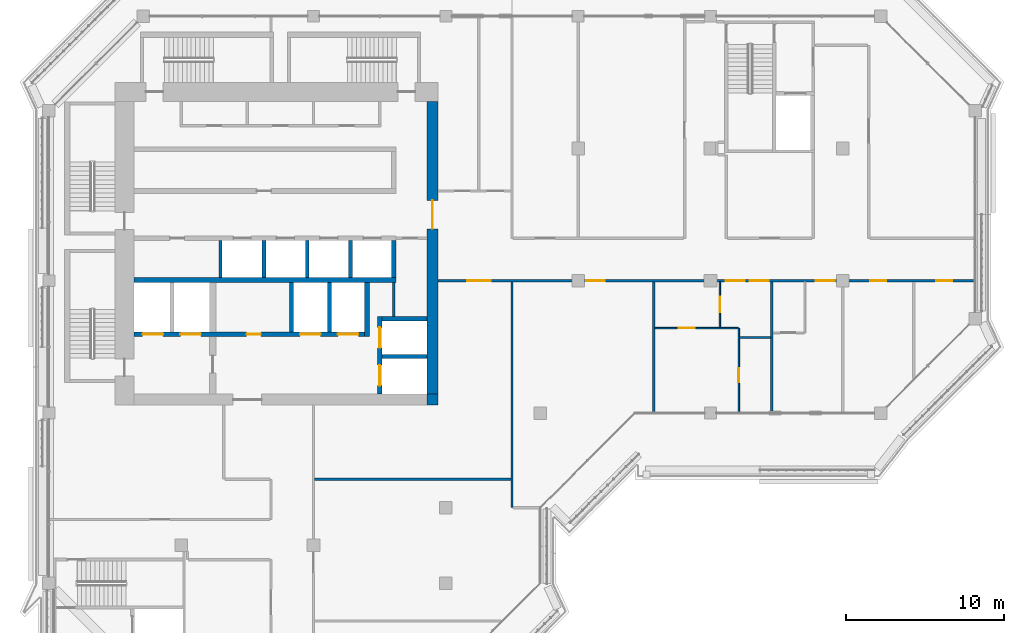
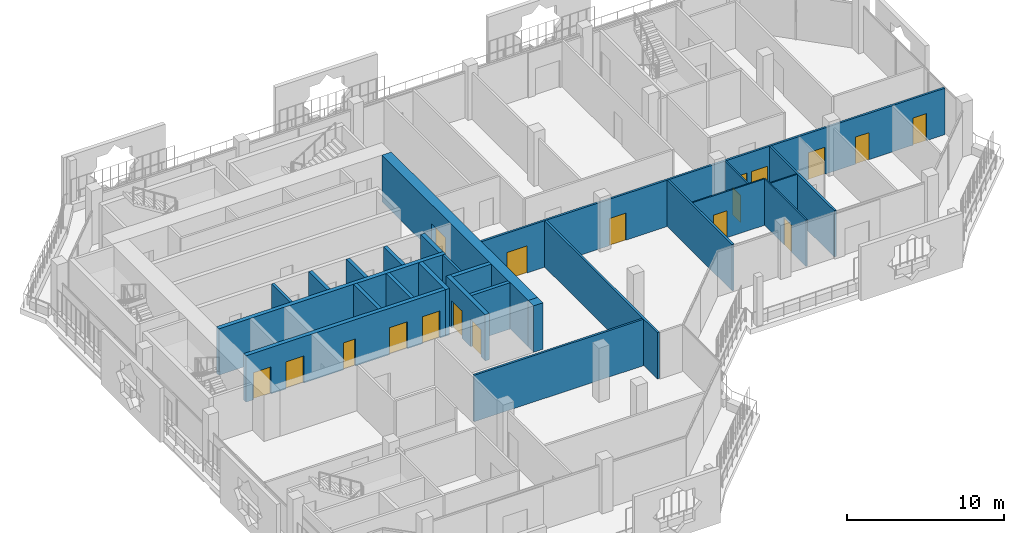
# One storey, part 11 of 21: 25 walls, 18 doors, 18 openings.
"""IFC4 building model written with IfcOpenShell, lengths in metres."""

from ifc_helpers import new_model, si_unit, direction, frame, frame_2d, origin, place, context, subcontext, project, spatial, rectangle, extrude, material, layer, layer_set, type_object, element, fill, save


model = new_model("IFC4")

# Units and contexts
model_context = context("Model", 3, precision=1e-05, world=origin(), true_north=direction((0.0, 1.0)))
body_context = subcontext(model_context, "Body", "Model", "MODEL_VIEW")
ifc_project = project(units=[si_unit("LENGTHUNIT", "METRE"), si_unit("AREAUNIT", "SQUARE_METRE"), si_unit("VOLUMEUNIT", "CUBIC_METRE"), si_unit("PLANEANGLEUNIT", "RADIAN"), si_unit("MASSUNIT", "GRAM", prefix="KILO")], contexts=[model_context])

# Site, building, storey
site_placement = place(None, origin())
site = spatial("IfcSite", under=ifc_project, at=site_placement, CompositionType="ELEMENT")
building_placement = place(site_placement, origin())
building = spatial("IfcBuilding", under=site, at=building_placement, Name="Kawkab Arch Medical Tower", CompositionType="ELEMENT")
storey_placement = place(building_placement, frame((0.0, 0.0, 315.39990234375)))
storey = spatial("IfcBuildingStorey", under=building, at=storey_placement, Name="L73", CompositionType="ELEMENT", Elevation=315.39990234375)

# Wall, opening, door
ifc_material_1 = material(Name="Concrete C50/60", Category="concrete")
ifc_layer_1 = layer(ifc_material_1, 0.699951171875)
ifc_layer_set_1 = layer_set([ifc_layer_1], Name="Concrete C50/60")
wall_type_1 = type_object("IfcWallType", Name="Core ring wall 700 C50/60", PredefinedType="SHEAR", material=ifc_layer_set_1)
wall_1_placement = place(storey_placement, frame((24.35009765625, -24.0, 0.0), z_axis=(0.0, 0.0, 1.0), x_axis=(0.0, 1.0, 0.0)))
wall_1 = element("IfcWall", 1, at=wall_1_placement, inside=storey, type_object=wall_type_1, Name="L73 core wall", PredefinedType="SHEAR", context=body_context, shape_type="SweptSolid", body=[
    extrude(rectangle(XDim=18.60009765625, YDim=0.699951171875, at=frame_2d((9.300048828125, 0.0))), origin(), (0.0, 0.0, 1.0), 3.60009765625),
])
opening_1_placement = place(wall_1_placement, frame((10.5, 0.0, 0.0)))
opening_1 = element("IfcOpeningElement", 2, at=opening_1_placement, cuts=wall_1, Name="Opening PD", PredefinedType="OPENING", context=body_context, shape_type="SweptSolid", body=[
    extrude(rectangle(XDim=1.800048828125, YDim=2.10009765625, at=frame_2d((0.89990234375, 1.050048828125))), frame((0.0, 0.35986328125, 0.0), z_axis=(0.0, -1.0, 0.0), x_axis=(1.0, 0.0, 0.0)), (0.0, 0.0, 1.0), 0.719970703125),
])
ifc_material_2 = material(Name="Hollow metal fire door leaf")
door_type_1 = type_object("IfcDoorType", Name="Core entrance doors 1800", OperationType="DOUBLE_DOOR_SINGLE_SWING", PredefinedType="DOOR", material=ifc_material_2)
door_1_placement = place(opening_1_placement, origin())
door_1 = element("IfcDoor", 3, at=door_1_placement, inside=storey, type_object=door_type_1, Name="L73 East entrance doors", OperationType="DOUBLE_DOOR_SINGLE_SWING", OverallHeight=2.10009765625, OverallWidth=1.800048828125, PredefinedType="DOOR", context=body_context, shape_type="SweptSolid", body=[
    extrude(rectangle(XDim=1.800048828125, YDim=2.10009765625, at=frame_2d((0.89990234375, 1.050048828125))), frame((0.0, 0.02490234375, 0.0), z_axis=(0.0, -1.0, 0.0), x_axis=(1.0, 0.0, 0.0)), (0.0, 0.0, 1.0), 0.050048828125),
])
fill(opening_1, door_1)

# Walls
wall_2_placement = place(storey_placement, frame((24.35009765625, -24.699951171875, 0.0), z_axis=(0.0, 0.0, 1.0), x_axis=(0.0, 1.0, 0.0)))
element("IfcWall", 4, at=wall_2_placement, inside=storey, type_object=wall_type_1, Name="L73 core wall", PredefinedType="SHEAR", context=body_context, shape_type="SweptSolid", body=[
    extrude(rectangle(XDim=0.699951171875, YDim=0.699951171875, at=frame_2d((0.35009765625, 0.0))), origin(), (0.0, 0.0, 1.0), 3.60009765625),
])
ifc_material_3 = material(Name="Gypsum board on steel studs", Category="steel")
ifc_layer_2 = layer(ifc_material_3, 0.14990234375)
ifc_layer_set_2 = layer_set([ifc_layer_2], Name="Gypsum board on steel studs")
wall_type_2 = type_object("IfcWallType", Name="Core room partition 150", PredefinedType="PARTITIONING", material=ifc_layer_set_2)
wall_3_placement = place(storey_placement, frame((21.89990234375, -19.050048828125, 0.0), z_axis=(0.0, 0.0, 1.0), x_axis=(0.0, 1.0, 0.0)))
element("IfcWall", 5, at=wall_3_placement, inside=storey, type_object=wall_type_2, Name="L73 core room partition", PredefinedType="PARTITIONING", context=body_context, shape_type="SweptSolid", body=[
    extrude(rectangle(XDim=2.150146484375, YDim=0.14990234375, at=frame_2d((1.0751953125, 0.0))), origin(), (0.0, 0.0, 1.0), 3.60009765625),
])
ifc_material_4 = material(Name="Concrete C60/75", Category="concrete")
ifc_layer_3 = layer(ifc_material_4, 0.25)
ifc_layer_set_3 = layer_set([ifc_layer_3], Name="Concrete C60/75")
wall_type_3 = type_object("IfcWallType", Name="Core shear wall 250 C60/75", PredefinedType="SHEAR", material=ifc_layer_set_3)
wall_4_placement = place(storey_placement, frame((21.14990234375, -21.60009765625, 0.0), z_axis=(0.0, 0.0, 1.0), x_axis=(1.0, 0.0, 0.0)))
element("IfcWall", 6, at=wall_4_placement, inside=storey, type_object=wall_type_3, Name="L73 core shear wall", PredefinedType="SHEAR", context=body_context, shape_type="SweptSolid", body=[
    extrude(rectangle(XDim=2.85009765625, YDim=0.25, at=frame_2d((1.425048828125, 0.0))), origin(), (0.0, 0.0, 1.0), 3.60009765625),
])
for number, where, z_axis, x_axis, name in (
    (7, (15.39990234375, -20.050048828125, 0.0), (0.0, 0.0, 1.0), (0.0, 1.0, 0.0), "L73 core shear wall"),
    (8, (17.800048828125, -20.050048828125, 0.0), (0.0, 0.0, 1.0), (0.0, 1.0, 0.0), "L73 core shear wall"),
):
    element("IfcWall", number, at=place(storey_placement, frame(where, z_axis=z_axis, x_axis=x_axis)), inside=storey, type_object=wall_type_3, Name=name, PredefinedType="SHEAR", context=body_context, shape_type="SweptSolid", body=[
        extrude(rectangle(XDim=3.150146484375, YDim=0.25, at=frame_2d((1.5751953125, 0.0))), origin(), (0.0, 0.0, 1.0), 3.60009765625),
    ])
for number, where, z_axis, x_axis, name in (
    (9, (13.64990234375, -16.60009765625, 0.0), (0.0, 0.0, 1.0), (0.0, 1.0, 0.0), "L73 core shear wall"),
    (10, (16.39990234375, -16.60009765625, 0.0), (0.0, 0.0, 1.0), (0.0, 1.0, 0.0), "L73 core shear wall"),
    (11, (19.14990234375, -16.60009765625, 0.0), (0.0, 0.0, 1.0), (0.0, 1.0, 0.0), "L73 core shear wall"),
):
    element("IfcWall", number, at=place(storey_placement, frame(where, z_axis=z_axis, x_axis=x_axis)), inside=storey, type_object=wall_type_3, Name=name, PredefinedType="SHEAR", context=body_context, shape_type="SweptSolid", body=[
        extrude(rectangle(XDim=2.35009765625, YDim=0.25, at=frame_2d((1.175048828125, 0.0))), origin(), (0.0, 0.0, 1.0), 3.60009765625),
    ])
ifc_material_5 = material(Name="Concrete C60/75", Category="concrete")
ifc_layer_4 = layer(ifc_material_5, 0.300048828125)
ifc_layer_set_4 = layer_set([ifc_layer_4], Name="Concrete C60/75")
wall_type_4 = type_object("IfcWallType", Name="Core shear wall 300 C60/75", PredefinedType="SHEAR", material=ifc_layer_set_4)
wall_5_placement = place(storey_placement, frame((5.39990234375, -16.75, 0.0), z_axis=(0.0, 0.0, 1.0), x_axis=(1.0, 0.0, 0.0)))
element("IfcWall", 12, at=wall_5_placement, inside=storey, type_object=wall_type_4, Name="L73 core shear wall", PredefinedType="SHEAR", context=body_context, shape_type="SweptSolid", body=[
    extrude(rectangle(XDim=16.650146484375, YDim=0.300048828125, at=frame_2d((8.3251953125, 0.0))), origin(), (0.0, 0.0, 1.0), 3.60009765625),
])

# Wall, openings, doors
wall_6_placement = place(storey_placement, frame((5.39990234375, -20.199951171875, 0.0), z_axis=(0.0, 0.0, 1.0), x_axis=(1.0, 0.0, 0.0)))
wall_6 = element("IfcWall", 13, at=wall_6_placement, inside=storey, type_object=wall_type_4, Name="L73 core shear wall", PredefinedType="SHEAR", context=body_context, shape_type="SweptSolid", body=[
    extrude(rectangle(XDim=14.650146484375, YDim=0.300048828125, at=frame_2d((7.3251953125, 0.0))), origin(), (0.0, 0.0, 1.0), 3.60009765625),
])
opening_2_placement = place(wall_6_placement, frame((10.550048828125, 0.0, 0.0)))
opening_2 = element("IfcOpeningElement", 14, at=opening_2_placement, cuts=wall_6, Name="Opening LD2", PredefinedType="OPENING", context=body_context, shape_type="SweptSolid", body=[
    extrude(rectangle(XDim=1.300048828125, YDim=2.10009765625, at=frame_2d((0.64990234375, 1.050048828125))), frame((0.0, 0.159912109375, 0.0), z_axis=(0.0, -1.0, 0.0), x_axis=(1.0, 0.0, 0.0)), (0.0, 0.0, 1.0), 0.320068359375),
])
opening_3_placement = place(wall_6_placement, frame((12.949951171875, 0.0, 0.0)))
opening_3 = element("IfcOpeningElement", 15, at=opening_3_placement, cuts=wall_6, Name="Opening LD2", PredefinedType="OPENING", context=body_context, shape_type="SweptSolid", body=[
    extrude(rectangle(XDim=1.300048828125, YDim=2.10009765625, at=frame_2d((0.64990234375, 1.050048828125))), frame((0.0, 0.159912109375, 0.0), z_axis=(0.0, -1.0, 0.0), x_axis=(1.0, 0.0, 0.0)), (0.0, 0.0, 1.0), 0.320068359375),
])
opening_4_placement = place(wall_6_placement, frame((0.550048828125, 0.0, 0.0)))
opening_4 = element("IfcOpeningElement", 16, at=opening_4_placement, cuts=wall_6, Name="Opening LD2", PredefinedType="OPENING", context=body_context, shape_type="SweptSolid", body=[
    extrude(rectangle(XDim=1.300048828125, YDim=2.10009765625, at=frame_2d((0.64990234375, 1.050048828125))), frame((0.0, 0.159912109375, 0.0), z_axis=(0.0, -1.0, 0.0), x_axis=(1.0, 0.0, 0.0)), (0.0, 0.0, 1.0), 0.320068359375),
])
opening_5_placement = place(wall_6_placement, frame((2.949951171875, 0.0, 0.0)))
opening_5 = element("IfcOpeningElement", 17, at=opening_5_placement, cuts=wall_6, Name="Opening LD2", PredefinedType="OPENING", context=body_context, shape_type="SweptSolid", body=[
    extrude(rectangle(XDim=1.300048828125, YDim=2.10009765625, at=frame_2d((0.64990234375, 1.050048828125))), frame((0.0, 0.159912109375, 0.0), z_axis=(0.0, -1.0, 0.0), x_axis=(1.0, 0.0, 0.0)), (0.0, 0.0, 1.0), 0.320068359375),
])
opening_6_placement = place(wall_6_placement, frame((7.14990234375, 0.0, 0.0)))
opening_6 = element("IfcOpeningElement", 18, at=opening_6_placement, cuts=wall_6, Name="Opening RD", PredefinedType="OPENING", context=body_context, shape_type="SweptSolid", body=[
    extrude(rectangle(XDim=0.89990234375, YDim=2.10009765625, at=frame_2d((0.449951171875, 1.050048828125))), frame((0.0, 0.159912109375, 0.0), z_axis=(0.0, -1.0, 0.0), x_axis=(1.0, 0.0, 0.0)), (0.0, 0.0, 1.0), 0.320068359375),
])
ifc_material_6 = material(Name="Hollow metal fire door leaf")
door_type_2 = type_object("IfcDoorType", Name="Core room door 900", OperationType="SINGLE_SWING_LEFT", PredefinedType="DOOR", material=ifc_material_6)
door_2_placement = place(opening_6_placement, origin())
door_2 = element("IfcDoor", 19, at=door_2_placement, inside=storey, type_object=door_type_2, Name="L73 Equipment store door", OperationType="SINGLE_SWING_LEFT", OverallHeight=2.10009765625, OverallWidth=0.89990234375, PredefinedType="DOOR", context=body_context, shape_type="SweptSolid", body=[
    extrude(rectangle(XDim=0.89990234375, YDim=2.10009765625, at=frame_2d((0.449951171875, 1.050048828125))), frame((0.0, 0.02490234375, 0.0), z_axis=(0.0, -1.0, 0.0), x_axis=(1.0, 0.0, 0.0)), (0.0, 0.0, 1.0), 0.050048828125),
])
fill(opening_6, door_2)
ifc_material_7 = material(Name="Stainless steel lift door leaf", Category="steel")
door_type_3 = type_object("IfcDoorType", Name="Lift landing door 1300", OperationType="DOUBLE_DOOR_SLIDING", PredefinedType="DOOR", material=ifc_material_7)
door_3_placement = place(opening_2_placement, origin())
door_3 = element("IfcDoor", 20, at=door_3_placement, inside=storey, type_object=door_type_3, Name="L73 Lift landing door BD3", OperationType="DOUBLE_DOOR_SLIDING", OverallHeight=2.10009765625, OverallWidth=1.300048828125, PredefinedType="DOOR", context=body_context, shape_type="SweptSolid", body=[
    extrude(rectangle(XDim=1.300048828125, YDim=2.10009765625, at=frame_2d((0.64990234375, 1.050048828125))), frame((0.0, 0.02490234375, 0.0), z_axis=(0.0, -1.0, 0.0), x_axis=(1.0, 0.0, 0.0)), (0.0, 0.0, 1.0), 0.050048828125),
])
fill(opening_2, door_3)
door_4_placement = place(opening_3_placement, origin())
door_4 = element("IfcDoor", 21, at=door_4_placement, inside=storey, type_object=door_type_3, Name="L73 Lift landing door BD4", OperationType="DOUBLE_DOOR_SLIDING", OverallHeight=2.10009765625, OverallWidth=1.300048828125, PredefinedType="DOOR", context=body_context, shape_type="SweptSolid", body=[
    extrude(rectangle(XDim=1.300048828125, YDim=2.10009765625, at=frame_2d((0.64990234375, 1.050048828125))), frame((0.0, 0.02490234375, 0.0), z_axis=(0.0, -1.0, 0.0), x_axis=(1.0, 0.0, 0.0)), (0.0, 0.0, 1.0), 0.050048828125),
])
fill(opening_3, door_4)
door_5_placement = place(opening_4_placement, origin())
door_5 = element("IfcDoor", 22, at=door_5_placement, inside=storey, type_object=door_type_3, Name="L73 Lift landing door FL1", OperationType="DOUBLE_DOOR_SLIDING", OverallHeight=2.10009765625, OverallWidth=1.300048828125, PredefinedType="DOOR", context=body_context, shape_type="SweptSolid", body=[
    extrude(rectangle(XDim=1.300048828125, YDim=2.10009765625, at=frame_2d((0.64990234375, 1.050048828125))), frame((0.0, 0.02490234375, 0.0), z_axis=(0.0, -1.0, 0.0), x_axis=(1.0, 0.0, 0.0)), (0.0, 0.0, 1.0), 0.050048828125),
])
fill(opening_4, door_5)
door_6_placement = place(opening_5_placement, origin())
door_6 = element("IfcDoor", 23, at=door_6_placement, inside=storey, type_object=door_type_3, Name="L73 Lift landing door FL2", OperationType="DOUBLE_DOOR_SLIDING", OverallHeight=2.10009765625, OverallWidth=1.300048828125, PredefinedType="DOOR", context=body_context, shape_type="SweptSolid", body=[
    extrude(rectangle(XDim=1.300048828125, YDim=2.10009765625, at=frame_2d((0.64990234375, 1.050048828125))), frame((0.0, 0.02490234375, 0.0), z_axis=(0.0, -1.0, 0.0), x_axis=(1.0, 0.0, 0.0)), (0.0, 0.0, 1.0), 0.050048828125),
])
fill(opening_5, door_6)

# Walls
wall_7_placement = place(storey_placement, frame((20.199951171875, -20.35009765625, 0.0), z_axis=(0.0, 0.0, 1.0), x_axis=(0.0, 1.0, 0.0)))
element("IfcWall", 24, at=wall_7_placement, inside=storey, type_object=wall_type_4, Name="L73 core shear wall", PredefinedType="SHEAR", context=body_context, shape_type="SweptSolid", body=[
    extrude(rectangle(XDim=3.4501953125, YDim=0.300048828125, at=frame_2d((1.72509765625, 0.0))), origin(), (0.0, 0.0, 1.0), 3.60009765625),
])
wall_8_placement = place(storey_placement, frame((21.89990234375, -16.60009765625, 0.0), z_axis=(0.0, 0.0, 1.0), x_axis=(0.0, 1.0, 0.0)))
element("IfcWall", 25, at=wall_8_placement, inside=storey, type_object=wall_type_4, Name="L73 core shear wall", PredefinedType="SHEAR", context=body_context, shape_type="SweptSolid", body=[
    extrude(rectangle(XDim=2.35009765625, YDim=0.300048828125, at=frame_2d((1.175048828125, 0.0))), origin(), (0.0, 0.0, 1.0), 3.60009765625),
])
wall_9_placement = place(storey_placement, frame((21.14990234375, -19.199951171875, 0.0), z_axis=(0.0, 0.0, 1.0), x_axis=(1.0, 0.0, 0.0)))
element("IfcWall", 26, at=wall_9_placement, inside=storey, type_object=wall_type_4, Name="L73 core shear wall", PredefinedType="SHEAR", context=body_context, shape_type="SweptSolid", body=[
    extrude(rectangle(XDim=2.85009765625, YDim=0.300048828125, at=frame_2d((1.425048828125, 0.0))), origin(), (0.0, 0.0, 1.0), 3.60009765625),
])

# Wall, openings, doors
wall_10_placement = place(storey_placement, frame((21.0, -24.0, 0.0), z_axis=(0.0, 0.0, 1.0), x_axis=(0.0, 1.0, 0.0)))
wall_10 = element("IfcWall", 27, at=wall_10_placement, inside=storey, type_object=wall_type_4, Name="L73 core shear wall", PredefinedType="SHEAR", context=body_context, shape_type="SweptSolid", body=[
    extrude(rectangle(XDim=4.949951171875, YDim=0.300048828125, at=frame_2d((2.47509765625, 0.0))), origin(), (0.0, 0.0, 1.0), 3.60009765625),
])
opening_7_placement = place(wall_10_placement, frame((2.949951171875, 0.0, 0.0)))
opening_7 = element("IfcOpeningElement", 28, at=opening_7_placement, cuts=wall_10, Name="Opening LD2", PredefinedType="OPENING", context=body_context, shape_type="SweptSolid", body=[
    extrude(rectangle(XDim=1.300048828125, YDim=2.10009765625, at=frame_2d((0.64990234375, 1.050048828125))), frame((0.0, 0.159912109375, 0.0), z_axis=(0.0, -1.0, 0.0), x_axis=(1.0, 0.0, 0.0)), (0.0, 0.0, 1.0), 0.320068359375),
])
opening_8_placement = place(wall_10_placement, frame((0.550048828125, 0.0, 0.0)))
opening_8 = element("IfcOpeningElement", 29, at=opening_8_placement, cuts=wall_10, Name="Opening LD2", PredefinedType="OPENING", context=body_context, shape_type="SweptSolid", body=[
    extrude(rectangle(XDim=1.300048828125, YDim=2.10009765625, at=frame_2d((0.64990234375, 1.050048828125))), frame((0.0, 0.159912109375, 0.0), z_axis=(0.0, -1.0, 0.0), x_axis=(1.0, 0.0, 0.0)), (0.0, 0.0, 1.0), 0.320068359375),
])
door_7_placement = place(opening_7_placement, origin())
door_7 = element("IfcDoor", 30, at=door_7_placement, inside=storey, type_object=door_type_3, Name="L73 Lift landing door BD1", OperationType="DOUBLE_DOOR_SLIDING", OverallHeight=2.10009765625, OverallWidth=1.300048828125, PredefinedType="DOOR", context=body_context, shape_type="SweptSolid", body=[
    extrude(rectangle(XDim=1.300048828125, YDim=2.10009765625, at=frame_2d((0.64990234375, 1.050048828125))), frame((0.0, 0.02490234375, 0.0), z_axis=(0.0, -1.0, 0.0), x_axis=(1.0, 0.0, 0.0)), (0.0, 0.0, 1.0), 0.050048828125),
])
fill(opening_7, door_7)
door_8_placement = place(opening_8_placement, origin())
door_8 = element("IfcDoor", 31, at=door_8_placement, inside=storey, type_object=door_type_3, Name="L73 Lift landing door BD2", OperationType="DOUBLE_DOOR_SLIDING", OverallHeight=2.10009765625, OverallWidth=1.300048828125, PredefinedType="DOOR", context=body_context, shape_type="SweptSolid", body=[
    extrude(rectangle(XDim=1.300048828125, YDim=2.10009765625, at=frame_2d((0.64990234375, 1.050048828125))), frame((0.0, 0.02490234375, 0.0), z_axis=(0.0, -1.0, 0.0), x_axis=(1.0, 0.0, 0.0)), (0.0, 0.0, 1.0), 0.050048828125),
])
fill(opening_8, door_8)

# Walls
ifc_material_8 = material(Name="Dense concrete blockwork", Category="masonry")
ifc_layer_5 = layer(ifc_material_8, 0.199951171875)
ifc_layer_set_5 = layer_set([ifc_layer_5], Name="Dense concrete blockwork")
wall_type_5 = type_object("IfcWallType", Name="Lift shaft partition 200", PredefinedType="PARTITIONING", material=ifc_layer_set_5)
wall_11_placement = place(storey_placement, frame((10.89990234375, -16.60009765625, 0.0), z_axis=(0.0, 0.0, 1.0), x_axis=(0.0, 1.0, 0.0)))
element("IfcWall", 32, at=wall_11_placement, inside=storey, type_object=wall_type_5, Name="L73 lift shaft partition", PredefinedType="PARTITIONING", context=body_context, shape_type="SweptSolid", body=[
    extrude(rectangle(XDim=2.35009765625, YDim=0.199951171875, at=frame_2d((1.175048828125, 0.0))), origin(), (0.0, 0.0, 1.0), 3.60009765625),
])
ifc_material_9 = material(Name="Gypsum board partition on steel studs", Category="steel")
ifc_layer_6 = layer(ifc_material_9, 0.10009765625)
ifc_layer_set_6 = layer_set([ifc_layer_6], Name="Gypsum board partition on steel studs")
wall_type_6 = type_object("IfcWallType", Name="Partition 100", PredefinedType="PARTITIONING", material=ifc_layer_set_6)
wall_12_placement = place(storey_placement, frame((43.85009765625, -20.39990234375, 0.0), z_axis=(0.0, 0.0, 1.0), x_axis=(1.0, 0.0, 0.0)))
element("IfcWall", 33, at=wall_12_placement, inside=storey, type_object=wall_type_6, Name="Partition 100 w001", PredefinedType="PARTITIONING", context=body_context, shape_type="SweptSolid", body=[
    extrude(rectangle(XDim=1.974853515625, YDim=0.10009765625, at=frame_2d((0.9873046875, 0.0))), origin(), (0.0, 0.0, 1.0), 3.60009765625),
])

# Wall, opening, door
wall_13_placement = place(storey_placement, frame((38.47509765625, -19.800048828125, 0.0), z_axis=(0.0, 0.0, 1.0), x_axis=(1.0, 0.0, 0.0)))
wall_13 = element("IfcWall", 34, at=wall_13_placement, inside=storey, type_object=wall_type_6, Name="Partition 100 w003", PredefinedType="PARTITIONING", context=body_context, shape_type="SweptSolid", body=[
    extrude(rectangle(XDim=5.27490234375, YDim=0.10009765625, at=frame_2d((2.637451171875, 0.0))), origin(), (0.0, 0.0, 1.0), 3.60009765625),
])
opening_9_placement = place(wall_13_placement, frame((1.52490234375, 0.0, 0.0)))
opening_9 = element("IfcOpeningElement", 35, at=opening_9_placement, cuts=wall_13, Name="Opening W68-007", PredefinedType="OPENING", context=body_context, shape_type="SweptSolid", body=[
    extrude(rectangle(XDim=1.0, YDim=2.10009765625, at=frame_2d((0.5, 1.050048828125))), frame((0.0, 0.06005859375, 0.0), z_axis=(0.0, -1.0, 0.0), x_axis=(1.0, 0.0, 0.0)), (0.0, 0.0, 1.0), 0.1201171875),
])
ifc_material_10 = material(Name="Timber door leaf", Category="wood")
door_type_4 = type_object("IfcDoorType", Name="Single door 1000x2100", OperationType="NOTDEFINED", PredefinedType="DOOR", material=ifc_material_10)
door_9_placement = place(opening_9_placement, origin())
door_9 = element("IfcDoor", 36, at=door_9_placement, inside=storey, type_object=door_type_4, Name="Door W68-007", OperationType="SINGLE_SWING_RIGHT", OverallHeight=2.10009765625, OverallWidth=1.0, PredefinedType="DOOR", context=body_context, shape_type="SweptSolid", body=[
    extrude(rectangle(XDim=1.0, YDim=2.10009765625, at=frame_2d((0.5, 1.050048828125))), frame((0.0, 0.02490234375, 0.0), z_axis=(0.0, -1.0, 0.0), x_axis=(1.0, 0.0, 0.0)), (0.0, 0.0, 1.0), 0.050048828125),
])
fill(opening_9, door_9)

wall_14_placement = place(storey_placement, frame((42.60009765625, -19.75, 0.0), z_axis=(0.0, 0.0, 1.0), x_axis=(0.0, 1.0, 0.0)))
wall_14 = element("IfcWall", 37, at=wall_14_placement, inside=storey, type_object=wall_type_6, Name="Partition 100 w004", PredefinedType="PARTITIONING", context=body_context, shape_type="SweptSolid", body=[
    extrude(rectangle(XDim=2.875, YDim=0.10009765625, at=frame_2d((1.4375, 0.0))), origin(), (0.0, 0.0, 1.0), 3.60009765625),
])
opening_10_placement = place(wall_14_placement, frame((0.949951171875, 0.0, 0.0)))
opening_10 = element("IfcOpeningElement", 38, at=opening_10_placement, cuts=wall_14, Name="Opening W68-008", PredefinedType="OPENING", context=body_context, shape_type="SweptSolid", body=[
    extrude(rectangle(XDim=1.0, YDim=2.10009765625, at=frame_2d((0.5, 1.050048828125))), frame((0.0, 0.06005859375, 0.0), z_axis=(0.0, -1.0, 0.0), x_axis=(1.0, 0.0, 0.0)), (0.0, 0.0, 1.0), 0.1201171875),
])
door_10_placement = place(opening_10_placement, origin())
door_10 = element("IfcDoor", 39, at=door_10_placement, inside=storey, type_object=door_type_4, Name="Door W68-008", OperationType="SINGLE_SWING_RIGHT", OverallHeight=2.10009765625, OverallWidth=1.0, PredefinedType="DOOR", context=body_context, shape_type="SweptSolid", body=[
    extrude(rectangle(XDim=1.0, YDim=2.10009765625, at=frame_2d((0.5, 1.050048828125))), frame((0.0, 0.02490234375, 0.0), z_axis=(0.0, -1.0, 0.0), x_axis=(1.0, 0.0, 0.0)), (0.0, 0.0, 1.0), 0.050048828125),
])
fill(opening_10, door_10)

wall_15_placement = place(storey_placement, frame((43.800048828125, -25.1201171875, 0.0), z_axis=(0.0, 0.0, 1.0), x_axis=(0.0, 1.0, 0.0)))
wall_15 = element("IfcWall", 40, at=wall_15_placement, inside=storey, type_object=wall_type_6, Name="Partition 100 w005", PredefinedType="PARTITIONING", context=body_context, shape_type="SweptSolid", body=[
    extrude(rectangle(XDim=5.320068359375, YDim=0.10009765625, at=frame_2d((2.66015625, 0.0))), origin(), (0.0, 0.0, 1.0), 3.60009765625),
])
opening_11_placement = place(wall_15_placement, frame((1.8701171875, 0.0, 0.0)))
opening_11 = element("IfcOpeningElement", 41, at=opening_11_placement, cuts=wall_15, Name="Opening W68-004", PredefinedType="OPENING", context=body_context, shape_type="SweptSolid", body=[
    extrude(rectangle(XDim=0.89990234375, YDim=2.10009765625, at=frame_2d((0.449951171875, 1.050048828125))), frame((0.0, 0.06005859375, 0.0), z_axis=(0.0, -1.0, 0.0), x_axis=(1.0, 0.0, 0.0)), (0.0, 0.0, 1.0), 0.1201171875),
])
ifc_material_11 = material(Name="Timber door leaf", Category="wood")
door_type_5 = type_object("IfcDoorType", Name="Single door 900x2100", OperationType="NOTDEFINED", PredefinedType="DOOR", material=ifc_material_11)
door_11_placement = place(opening_11_placement, origin())
door_11 = element("IfcDoor", 42, at=door_11_placement, inside=storey, type_object=door_type_5, Name="Door W68-004", OperationType="SINGLE_SWING_LEFT", OverallHeight=2.10009765625, OverallWidth=0.89990234375, PredefinedType="DOOR", context=body_context, shape_type="SweptSolid", body=[
    extrude(rectangle(XDim=0.89990234375, YDim=2.10009765625, at=frame_2d((0.449951171875, 1.050048828125))), frame((0.0, 0.02490234375, 0.0), z_axis=(0.0, -1.0, 0.0), x_axis=(1.0, 0.0, 0.0)), (0.0, 0.0, 1.0), 0.050048828125),
])
fill(opening_11, door_11)

# Wall
ifc_material_12 = material(Name="Gypsum board partition on steel studs, mineral wool", Category="steel")
ifc_layer_7 = layer(ifc_material_12, 0.14990234375)
ifc_layer_set_7 = layer_set([ifc_layer_7], Name="Gypsum board partition on steel studs, mineral wool")
wall_type_7 = type_object("IfcWallType", Name="Partition 150", PredefinedType="PARTITIONING", material=ifc_layer_set_7)
wall_16_placement = place(storey_placement, frame((16.875, -29.39990234375, 0.0), z_axis=(0.0, 0.0, 1.0), x_axis=(1.0, 0.0, 0.0)))
element("IfcWall", 43, at=wall_16_placement, inside=storey, type_object=wall_type_7, Name="Partition 150 w013", PredefinedType="PARTITIONING", context=body_context, shape_type="SweptSolid", body=[
    extrude(rectangle(XDim=12.449951171875, YDim=0.14990234375, at=frame_2d((6.22509765625, 0.0))), origin(), (0.0, 0.0, 1.0), 3.60009765625),
])

# Wall, openings, doors
wall_17_placement = place(storey_placement, frame((24.699951171875, -16.800048828125, 0.0), z_axis=(0.0, 0.0, 1.0), x_axis=(1.0, 0.0, 0.0)))
wall_17 = element("IfcWall", 44, at=wall_17_placement, inside=storey, type_object=wall_type_7, Name="Partition 150 w014", PredefinedType="PARTITIONING", context=body_context, shape_type="SweptSolid", body=[
    extrude(rectangle(XDim=34.02001953125, YDim=0.14990234375, at=frame_2d((17.010009765625, 0.0))), origin(), (0.0, 0.0, 1.0), 3.60009765625),
])
opening_12_placement = place(wall_17_placement, frame((1.85009765625, 0.0, 0.0)))
opening_12 = element("IfcOpeningElement", 45, at=opening_12_placement, cuts=wall_17, Name="Opening W68-001", PredefinedType="OPENING", context=body_context, shape_type="SweptSolid", body=[
    extrude(rectangle(XDim=1.5, YDim=2.10009765625, at=frame_2d((0.75, 1.050048828125))), frame((0.0, 0.0849609375, 0.0), z_axis=(0.0, -1.0, 0.0), x_axis=(1.0, 0.0, 0.0)), (0.0, 0.0, 1.0), 0.169921875),
])
opening_13_placement = place(wall_17_placement, frame((9.39990234375, 0.0, 0.0)))
opening_13 = element("IfcOpeningElement", 46, at=opening_13_placement, cuts=wall_17, Name="Opening W68-015", PredefinedType="OPENING", context=body_context, shape_type="SweptSolid", body=[
    extrude(rectangle(XDim=1.199951171875, YDim=2.10009765625, at=frame_2d((0.60009765625, 1.050048828125))), frame((0.0, 0.0849609375, 0.0), z_axis=(0.0, -1.0, 0.0), x_axis=(1.0, 0.0, 0.0)), (0.0, 0.0, 1.0), 0.169921875),
])
opening_14_placement = place(wall_17_placement, frame((19.800048828125, 0.0, 0.0)))
opening_14 = element("IfcOpeningElement", 47, at=opening_14_placement, cuts=wall_17, Name="Opening W68-016", PredefinedType="OPENING", context=body_context, shape_type="SweptSolid", body=[
    extrude(rectangle(XDim=1.199951171875, YDim=2.10009765625, at=frame_2d((0.60009765625, 1.050048828125))), frame((0.0, 0.0849609375, 0.0), z_axis=(0.0, -1.0, 0.0), x_axis=(1.0, 0.0, 0.0)), (0.0, 0.0, 1.0), 0.169921875),
])
opening_15_placement = place(wall_17_placement, frame((18.280029296875, 0.0, 0.0)))
opening_15 = element("IfcOpeningElement", 48, at=opening_15_placement, cuts=wall_17, Name="Opening W68-017", PredefinedType="OPENING", context=body_context, shape_type="SweptSolid", body=[
    extrude(rectangle(XDim=1.199951171875, YDim=2.10009765625, at=frame_2d((0.60009765625, 1.050048828125))), frame((0.0, 0.0849609375, 0.0), z_axis=(0.0, -1.0, 0.0), x_axis=(1.0, 0.0, 0.0)), (0.0, 0.0, 1.0), 0.169921875),
])
opening_16_placement = place(wall_17_placement, frame((24.0, 0.0, 0.0)))
opening_16 = element("IfcOpeningElement", 49, at=opening_16_placement, cuts=wall_17, Name="Opening W68-018", PredefinedType="OPENING", context=body_context, shape_type="SweptSolid", body=[
    extrude(rectangle(XDim=1.199951171875, YDim=2.10009765625, at=frame_2d((0.60009765625, 1.050048828125))), frame((0.0, 0.0849609375, 0.0), z_axis=(0.0, -1.0, 0.0), x_axis=(1.0, 0.0, 0.0)), (0.0, 0.0, 1.0), 0.169921875),
])
opening_17_placement = place(wall_17_placement, frame((27.449951171875, 0.0, 0.0)))
opening_17 = element("IfcOpeningElement", 50, at=opening_17_placement, cuts=wall_17, Name="Opening W68-011", PredefinedType="OPENING", context=body_context, shape_type="SweptSolid", body=[
    extrude(rectangle(XDim=1.0, YDim=2.10009765625, at=frame_2d((0.5, 1.050048828125))), frame((0.0, 0.0849609375, 0.0), z_axis=(0.0, -1.0, 0.0), x_axis=(1.0, 0.0, 0.0)), (0.0, 0.0, 1.0), 0.169921875),
])
opening_18_placement = place(wall_17_placement, frame((31.64990234375, 0.0, 0.0)))
opening_18 = element("IfcOpeningElement", 51, at=opening_18_placement, cuts=wall_17, Name="Opening W68-012", PredefinedType="OPENING", context=body_context, shape_type="SweptSolid", body=[
    extrude(rectangle(XDim=1.0, YDim=2.10009765625, at=frame_2d((0.5, 1.050048828125))), frame((0.0, 0.0849609375, 0.0), z_axis=(0.0, -1.0, 0.0), x_axis=(1.0, 0.0, 0.0)), (0.0, 0.0, 1.0), 0.169921875),
])
ifc_material_13 = material(Name="Hollow metal door leaf")
door_type_6 = type_object("IfcDoorType", Name="Double door 1500x2100 FD30S", OperationType="NOTDEFINED", PredefinedType="DOOR", material=ifc_material_13)
door_12_placement = place(opening_12_placement, origin())
door_12 = element("IfcDoor", 52, at=door_12_placement, inside=storey, type_object=door_type_6, Name="Door W68-001", OperationType="DOUBLE_DOOR_SINGLE_SWING", OverallHeight=2.10009765625, OverallWidth=1.5, PredefinedType="DOOR", context=body_context, shape_type="SweptSolid", body=[
    extrude(rectangle(XDim=1.5, YDim=2.10009765625, at=frame_2d((0.75, 1.050048828125))), frame((0.0, 0.02490234375, 0.0), z_axis=(0.0, -1.0, 0.0), x_axis=(1.0, 0.0, 0.0)), (0.0, 0.0, 1.0), 0.050048828125),
])
fill(opening_12, door_12)
ifc_material_14 = material(Name="Hollow metal door leaf")
door_type_7 = type_object("IfcDoorType", Name="Single door 1000x2100 FD30S", OperationType="NOTDEFINED", PredefinedType="DOOR", material=ifc_material_14)
door_13_placement = place(opening_17_placement, origin())
door_13 = element("IfcDoor", 53, at=door_13_placement, inside=storey, type_object=door_type_7, Name="Door W68-011", OperationType="SINGLE_SWING_LEFT", OverallHeight=2.10009765625, OverallWidth=1.0, PredefinedType="DOOR", context=body_context, shape_type="SweptSolid", body=[
    extrude(rectangle(XDim=1.0, YDim=2.10009765625, at=frame_2d((0.5, 1.050048828125))), frame((0.0, 0.02490234375, 0.0), z_axis=(0.0, -1.0, 0.0), x_axis=(1.0, 0.0, 0.0)), (0.0, 0.0, 1.0), 0.050048828125),
])
fill(opening_17, door_13)
door_14_placement = place(opening_18_placement, origin())
door_14 = element("IfcDoor", 54, at=door_14_placement, inside=storey, type_object=door_type_7, Name="Door W68-012", OperationType="SINGLE_SWING_LEFT", OverallHeight=2.10009765625, OverallWidth=1.0, PredefinedType="DOOR", context=body_context, shape_type="SweptSolid", body=[
    extrude(rectangle(XDim=1.0, YDim=2.10009765625, at=frame_2d((0.5, 1.050048828125))), frame((0.0, 0.02490234375, 0.0), z_axis=(0.0, -1.0, 0.0), x_axis=(1.0, 0.0, 0.0)), (0.0, 0.0, 1.0), 0.050048828125),
])
fill(opening_18, door_14)
ifc_material_15 = material(Name="Hollow metal door leaf")
door_type_8 = type_object("IfcDoorType", Name="Single door 1200x2100 FD30S", OperationType="NOTDEFINED", PredefinedType="DOOR", material=ifc_material_15)
door_15_placement = place(opening_13_placement, origin())
door_15 = element("IfcDoor", 55, at=door_15_placement, inside=storey, type_object=door_type_8, Name="Door W68-015", OperationType="SINGLE_SWING_RIGHT", OverallHeight=2.10009765625, OverallWidth=1.199951171875, PredefinedType="DOOR", context=body_context, shape_type="SweptSolid", body=[
    extrude(rectangle(XDim=1.199951171875, YDim=2.10009765625, at=frame_2d((0.60009765625, 1.050048828125))), frame((0.0, 0.02490234375, 0.0), z_axis=(0.0, -1.0, 0.0), x_axis=(1.0, 0.0, 0.0)), (0.0, 0.0, 1.0), 0.050048828125),
])
fill(opening_13, door_15)
door_16_placement = place(opening_14_placement, origin())
door_16 = element("IfcDoor", 56, at=door_16_placement, inside=storey, type_object=door_type_8, Name="Door W68-016", OperationType="SINGLE_SWING_LEFT", OverallHeight=2.10009765625, OverallWidth=1.199951171875, PredefinedType="DOOR", context=body_context, shape_type="SweptSolid", body=[
    extrude(rectangle(XDim=1.199951171875, YDim=2.10009765625, at=frame_2d((0.60009765625, 1.050048828125))), frame((0.0, 0.02490234375, 0.0), z_axis=(0.0, -1.0, 0.0), x_axis=(1.0, 0.0, 0.0)), (0.0, 0.0, 1.0), 0.050048828125),
])
fill(opening_14, door_16)
door_17_placement = place(opening_15_placement, origin())
door_17 = element("IfcDoor", 57, at=door_17_placement, inside=storey, type_object=door_type_8, Name="Door W68-017", OperationType="SINGLE_SWING_LEFT", OverallHeight=2.10009765625, OverallWidth=1.199951171875, PredefinedType="DOOR", context=body_context, shape_type="SweptSolid", body=[
    extrude(rectangle(XDim=1.199951171875, YDim=2.10009765625, at=frame_2d((0.60009765625, 1.050048828125))), frame((0.0, 0.02490234375, 0.0), z_axis=(0.0, -1.0, 0.0), x_axis=(1.0, 0.0, 0.0)), (0.0, 0.0, 1.0), 0.050048828125),
])
fill(opening_15, door_17)
door_18_placement = place(opening_16_placement, origin())
door_18 = element("IfcDoor", 58, at=door_18_placement, inside=storey, type_object=door_type_8, Name="Door W68-018", OperationType="SINGLE_SWING_LEFT", OverallHeight=2.10009765625, OverallWidth=1.199951171875, PredefinedType="DOOR", context=body_context, shape_type="SweptSolid", body=[
    extrude(rectangle(XDim=1.199951171875, YDim=2.10009765625, at=frame_2d((0.60009765625, 1.050048828125))), frame((0.0, 0.02490234375, 0.0), z_axis=(0.0, -1.0, 0.0), x_axis=(1.0, 0.0, 0.0)), (0.0, 0.0, 1.0), 0.050048828125),
])
fill(opening_16, door_18)

# Walls
wall_18_placement = place(storey_placement, frame((29.39990234375, -31.197998046875, 0.0), z_axis=(0.0, 0.0, 1.0), x_axis=(0.0, 1.0, 0.0)))
element("IfcWall", 59, at=wall_18_placement, inside=storey, type_object=wall_type_7, Name="Partition 150 w032", PredefinedType="PARTITIONING", context=body_context, shape_type="SweptSolid", body=[
    extrude(rectangle(XDim=14.322998046875, YDim=0.14990234375, at=frame_2d((7.16162109375, 0.0))), origin(), (0.0, 0.0, 1.0), 3.60009765625),
])
for number, where, z_axis, x_axis, name in (
    (60, (38.39990234375, -25.1201171875, 0.0), (0.0, 0.0, 1.0), (0.0, 1.0, 0.0), "Partition 150 w035"),
    (61, (45.89990234375, -25.1201171875, 0.0), (0.0, 0.0, 1.0), (0.0, 1.0, 0.0), "Partition 150 w039"),
):
    element("IfcWall", number, at=place(storey_placement, frame(where, z_axis=z_axis, x_axis=x_axis)), inside=storey, type_object=wall_type_7, Name=name, PredefinedType="PARTITIONING", context=body_context, shape_type="SweptSolid", body=[
        extrude(rectangle(XDim=8.2451171875, YDim=0.14990234375, at=frame_2d((4.12255859375, 0.0))), origin(), (0.0, 0.0, 1.0), 3.60009765625),
    ])

save(model, "model.ifc")
